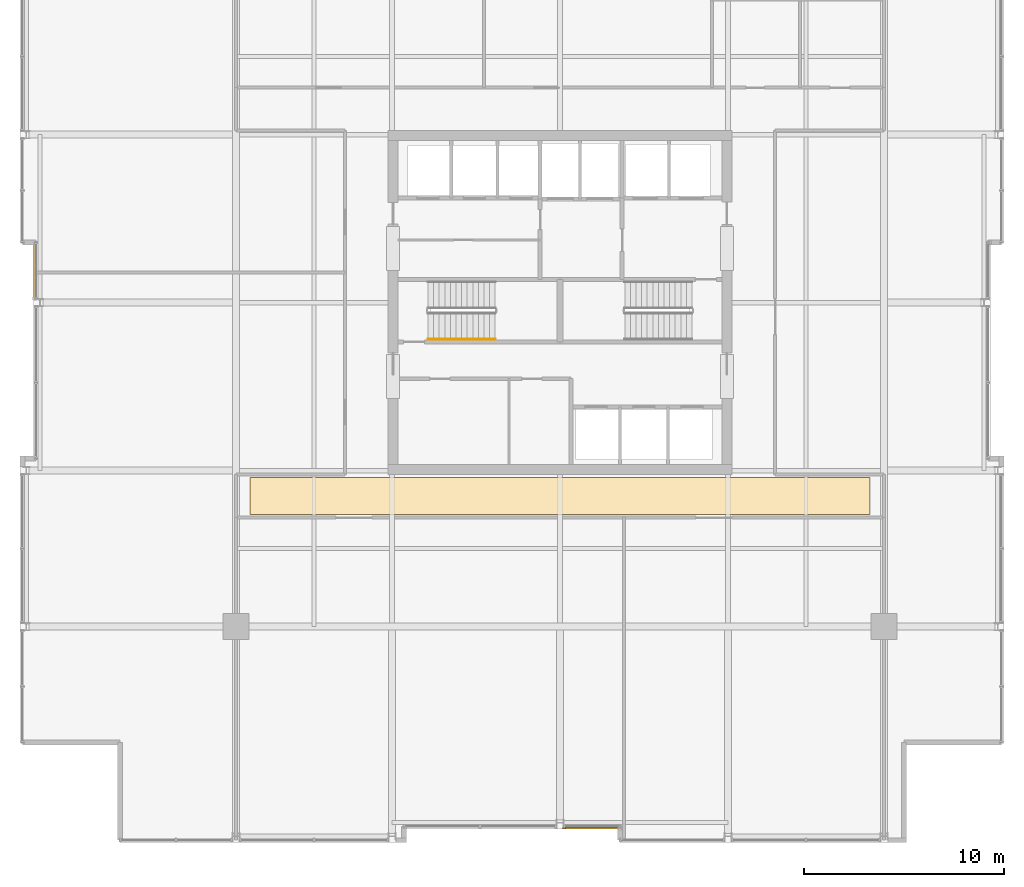
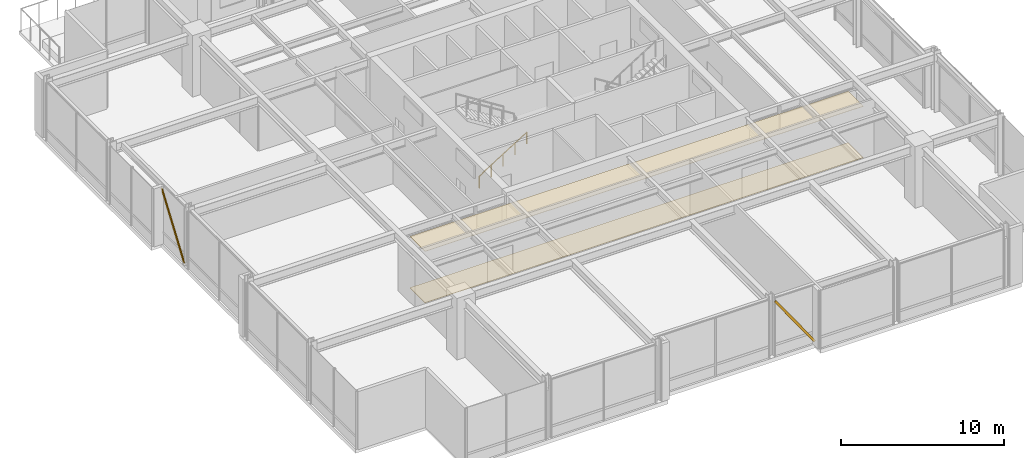
# One storey, part 30 of 32: 2 coverings, 2 shading devices, 1 railing.
"""IFC4 building model written with IfcOpenShell, lengths in metres."""

from ifc_helpers import new_model, si_unit, direction, frame, origin, origin_2d, place, context, subcontext, project, spatial, polyline, hollow_rectangle, circle, outline, extrude, material, layer, layer_set, material_profile, profile_set, type_object, element, save


model = new_model("IFC4")

# Units and contexts
model_context = context("Model", 3, precision=1e-05, world=origin(), true_north=direction((0.0, 1.0)))
body_context = subcontext(model_context, "Body", "Model", "MODEL_VIEW")
ifc_project = project(units=[si_unit("LENGTHUNIT", "METRE"), si_unit("AREAUNIT", "SQUARE_METRE"), si_unit("VOLUMEUNIT", "CUBIC_METRE"), si_unit("PLANEANGLEUNIT", "RADIAN"), si_unit("MASSUNIT", "GRAM", prefix="KILO")], contexts=[model_context])

# Site, building, storey
site_placement = place(None, origin())
site = spatial("IfcSite", under=ifc_project, at=site_placement, CompositionType="ELEMENT")
building_placement = place(site_placement, origin())
building = spatial("IfcBuilding", under=site, at=building_placement, Name="Drelvath Grand Hotel", CompositionType="ELEMENT")
storey_placement = place(building_placement, frame((0.0, 0.0, 145.800048828125)))
storey = spatial("IfcBuildingStorey", under=building, at=storey_placement, Name="L37", CompositionType="ELEMENT", Elevation=145.800048828125)

# Covering
ifc_material_1 = material(Name="Acoustic Gypsum Board")
ifc_layer_1 = layer(ifc_material_1, 0.02490234375)
ifc_layer_set_1 = layer_set([ifc_layer_1], Name="Acoustic Gypsum Board")
covering_type_1 = type_object("IfcCoveringType", Name="Acoustic Gypsum Hospitality Ceiling 25", PredefinedType="CEILING", material=ifc_layer_set_1)
covering_1_placement = place(storey_placement, frame((0.0, 0.0, 3.83984375)))
element("IfcCovering", 1, at=covering_1_placement, inside=storey, type_object=covering_type_1, Name="L37 Sky Foyer Ceiling", PredefinedType="CEILING", context=body_context, shape_type="SweptSolid", body=[
    extrude(outline(polyline([(15.5, 16.39990234375), (15.5, 18.25), (-15.5, 18.25), (-15.5, 16.39990234375), (15.5, 16.39990234375)])), origin(), (0.0, 0.0, 1.0), 0.025146484375),
])

# Railing
ifc_material_2 = material(Name="Painted Steel S275", Category="steel")
railing_type = type_object("IfcRailingType", Name="Core Stair Wall Handrail 900", PredefinedType="HANDRAIL", material=ifc_material_2)
railing_placement = place(storey_placement, frame((-6.60009765625, 25.169921875, 0.1767578125)))
element("IfcRailing", 2, at=railing_placement, inside=storey, type_object=railing_type, Name="L37 ST-1 stair handrail 1", PredefinedType="HANDRAIL", context=body_context, shape_type="SweptSolid", body=[
    extrude(circle(Radius=0.02392578125, at=origin_2d()), frame((0.0, 0.0, 0.8759765625), z_axis=(0.845361898145, 0.0, 0.534194029511), x_axis=(0.0, 1.0, 0.0)), (0.0, 0.0, 1.0), 3.974853515625),
    extrude(circle(Radius=0.02099609375, at=origin_2d()), origin(), (0.0, 0.0, 1.0), 0.851806640625),
    extrude(circle(Radius=0.02099609375, at=origin_2d()), frame((0.840087890625, 0.0, 0.53076171875)), (0.0, 0.0, 1.0), 0.851806640625),
    extrude(circle(Radius=0.02099609375, at=origin_2d()), frame((1.68017578125, 0.0, 1.0615234375)), (0.0, 0.0, 1.0), 0.851806640625),
    extrude(circle(Radius=0.02099609375, at=origin_2d()), frame((2.52001953125, 0.0, 1.592529296875)), (0.0, 0.0, 1.0), 0.851806640625),
    extrude(circle(Radius=0.02099609375, at=origin_2d()), frame((3.360107421875, 0.0, 2.123291015625)), (0.0, 0.0, 1.0), 0.851806640625),
])

# Shading devices
ifc_material_3 = material(Name="Brushed Pale-Silver Anodised Aluminium", Category="aluminium")
ifc_material_profile = material_profile(ifc_material_3, hollow_rectangle(XDim=0.06494140625, YDim=0.159912109375, WallThickness=0.00390625, at=origin_2d()), Name="HSS160X65X4")
ifc_profile_set = profile_set([ifc_material_profile], Name="Brushed Pale-Silver Anodised Aluminium")
shading_device_type = type_object("IfcShadingDeviceType", Name="Diagonal Solar Fin Pale-Silver Anodised HSS160X65X4", PredefinedType="USERDEFINED", material=ifc_profile_set)
for number, where, z_axis, x_axis, name in (
    (3, (-26.280029296875, 27.2001953125, 0.179931640625), (0.0, 0.575366635701, 0.817895613463), (-1.0, 0.0, 0.0), "L37 Diagonal Anodised Fin CW04-L37-WM2"),
    (4, (3.0, 0.719970703125, 0.179931640625), (-0.575366635701, 0.0, 0.817895613463), (0.0, -1.0, 0.0), "L37 Diagonal Anodised Fin CW04-L37-SM2"),
):
    element("IfcShadingDevice", number, at=place(storey_placement, frame(where, z_axis=z_axis, x_axis=x_axis)), inside=storey, type_object=shading_device_type, Name=name, ObjectType="FIN", PredefinedType="USERDEFINED", context=body_context, shape_type="SweptSolid", body=[
        extrude(hollow_rectangle(XDim=0.06494140625, YDim=0.159912109375, WallThickness=0.00390625, at=origin_2d()), origin(), (0.0, 0.0, 1.0), 4.8662109375),
    ])

# Covering
ifc_material_4 = material(Name="Honed Indiana Limestone", Category="masonry")
ifc_layer_2 = layer(ifc_material_4, 0.030029296875)
ifc_layer_set_2 = layer_set([ifc_layer_2], Name="Honed Indiana Limestone")
covering_type_2 = type_object("IfcCoveringType", Name="Honed Limestone Lobby Flooring 30", PredefinedType="FLOORING", material=ifc_layer_set_2)
covering_2_placement = place(storey_placement, origin())
element("IfcCovering", 5, at=covering_2_placement, inside=storey, type_object=covering_type_2, Name="L37 Sky Foyer Stone Floor", PredefinedType="FLOORING", context=body_context, shape_type="SweptSolid", body=[
    extrude(outline(polyline([(15.5, 16.39990234375), (15.5, 18.25), (-15.5, 18.25), (-15.5, 16.39990234375), (15.5, 16.39990234375)])), origin(), (0.0, 0.0, 1.0), 0.030029296875),
])

save(model, "model.ifc")
